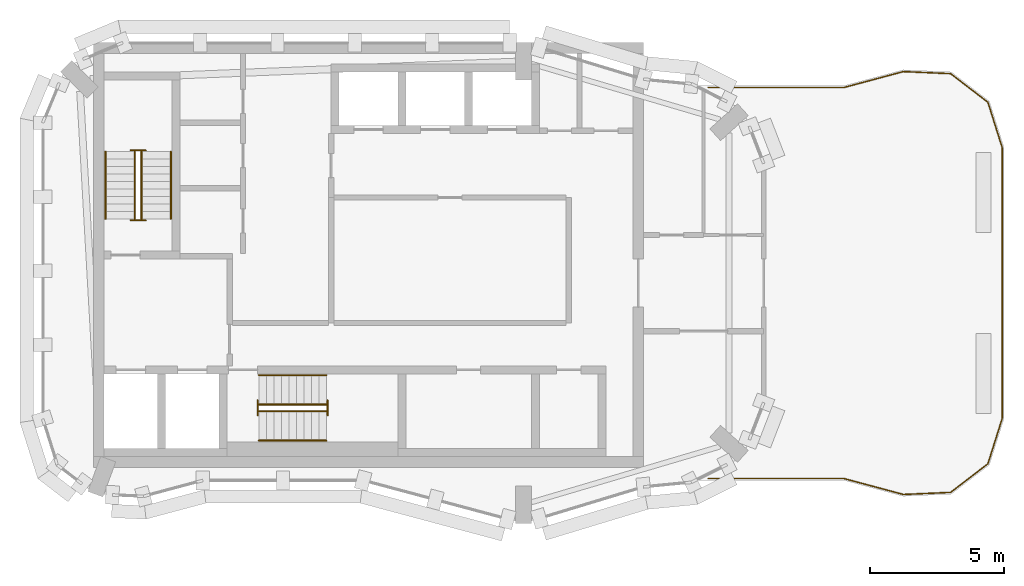
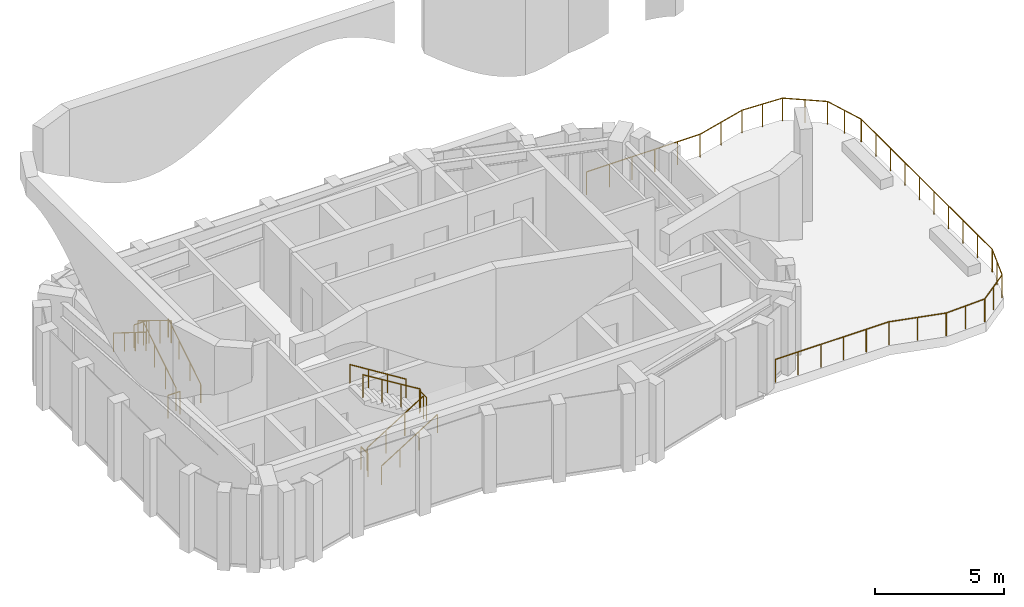
# One storey, part 5 of 7: 13 railings.
"""IFC4 building model written with IfcOpenShell, lengths in metres."""

from ifc_helpers import new_model, si_unit, direction, frame, origin, origin_2d, place, context, subcontext, project, spatial, circle, extrude, material, type_object, element, save


model = new_model("IFC4")

# Units and contexts
model_context = context("Model", 3, precision=1e-05, world=origin(), true_north=direction((0.0, 1.0)))
body_context = subcontext(model_context, "Body", "Model", "MODEL_VIEW")
ifc_project = project(units=[si_unit("LENGTHUNIT", "METRE"), si_unit("AREAUNIT", "SQUARE_METRE"), si_unit("VOLUMEUNIT", "CUBIC_METRE"), si_unit("PLANEANGLEUNIT", "RADIAN"), si_unit("MASSUNIT", "GRAM", prefix="KILO")], contexts=[model_context])

# Site, building, storey
site_placement = place(None, origin())
site = spatial("IfcSite", under=ifc_project, at=site_placement, CompositionType="ELEMENT")
building_placement = place(site_placement, origin())
building = spatial("IfcBuilding", under=site, at=building_placement, Name="Plateau Cross Towers", CompositionType="ELEMENT")
storey_placement = place(building_placement, frame((0.0, 0.0, 301.89990234375)))
storey = spatial("IfcBuildingStorey", under=building, at=storey_placement, Name="L80 Crown 3", CompositionType="ELEMENT", Elevation=301.89990234375)

# Railings
ifc_material_1 = material(Name="Stainless steel and toughened glass", Category="steel")
railing_type_1 = type_object("IfcRailingType", Name="Glass balustrade guard 1100", PredefinedType="GUARDRAIL", material=ifc_material_1)
railing_1_placement = place(storey_placement, frame((24.924560546875, 16.322998046875, 0.0)))
element("IfcRailing", 1, at=railing_1_placement, inside=storey, type_object=railing_type_1, Name="Guard guard1", PredefinedType="GUARDRAIL", context=body_context, shape_type="SweptSolid", body=[
    extrude(circle(Radius=0.02392578125, at=origin_2d()), frame((0.0, 0.0, 1.076171875), z_axis=(1.0, 0.0, 0.0), x_axis=(0.0, 1.0, 0.0)), (0.0, 0.0, 1.0), 5.084716796875),
    extrude(circle(Radius=0.02392578125, at=origin_2d()), frame((5.084716796875, 0.0, 1.076171875), z_axis=(0.965956101937, 0.2587060284, 0.0), x_axis=(-0.2587060284, 0.965956101937, 0.0)), (0.0, 0.0, 1.0), 2.30078125),
    extrude(circle(Radius=0.02392578125, at=origin_2d()), frame((7.30712890625, 0.59521484375, 1.076171875), z_axis=(0.999044942217, -0.043694432489, 0.0), x_axis=(0.043694432489, 0.999044942217, 0.0)), (0.0, 0.0, 1.0), 1.771240234375),
    extrude(circle(Radius=0.02392578125, at=origin_2d()), frame((9.07666015625, 0.517822265625, 1.076171875), z_axis=(0.79330932609, -0.608818785139, 0.0), x_axis=(0.608818785139, 0.79330932609, 0.0)), (0.0, 0.0, 1.0), 1.760009765625),
    extrude(circle(Radius=0.02392578125, at=origin_2d()), frame((10.472900390625, -0.5537109375, 1.076171875), z_axis=(0.3006365493, -0.95373878249, 0.0), x_axis=(0.95373878249, 0.3006365493, 0.0)), (0.0, 0.0, 1.0), 1.771240234375),
    extrude(circle(Radius=0.02392578125, at=origin_2d()), frame((11.00537109375, -2.242919921875, 1.076171875), z_axis=(0.0, -1.0, 0.0), x_axis=(1.0, 0.0, 0.0)), (0.0, 0.0, 1.0), 10.16015625),
    extrude(circle(Radius=0.02392578125, at=origin_2d()), frame((11.00537109375, -12.403076171875, 1.076171875), z_axis=(-0.3006365493, -0.95373878249, 0.0), x_axis=(0.95373878249, -0.3006365493, 0.0)), (0.0, 0.0, 1.0), 1.771240234375),
    extrude(circle(Radius=0.02392578125, at=origin_2d()), frame((10.472900390625, -14.09228515625, 1.076171875), z_axis=(-0.79330932609, -0.608818785139, 0.0), x_axis=(0.608818785139, -0.79330932609, 0.0)), (0.0, 0.0, 1.0), 1.760009765625),
    extrude(circle(Radius=0.02392578125, at=origin_2d()), frame((9.07666015625, -15.163818359375, 1.076171875), z_axis=(-0.999044942217, -0.043694432489, 0.0), x_axis=(0.043694432489, -0.999044942217, 0.0)), (0.0, 0.0, 1.0), 1.771240234375),
    extrude(circle(Radius=0.02392578125, at=origin_2d()), frame((7.30712890625, -15.2412109375, 1.076171875), z_axis=(-0.965956101937, 0.2587060284, 0.0), x_axis=(-0.2587060284, -0.965956101937, 0.0)), (0.0, 0.0, 1.0), 2.30078125),
    extrude(circle(Radius=0.02392578125, at=origin_2d()), frame((5.084716796875, -14.64599609375, 1.076171875), z_axis=(-1.0, 0.0, 0.0), x_axis=(0.0, -1.0, 0.0)), (0.0, 0.0, 1.0), 5.084716796875),
    extrude(circle(Radius=0.02099609375, at=origin_2d()), origin(), (0.0, 0.0, 1.0), 1.052001953125),
    extrude(circle(Radius=0.02099609375, at=origin_2d()), frame((1.016845703125, 0.0, 0.0)), (0.0, 0.0, 1.0), 1.052001953125),
    extrude(circle(Radius=0.02099609375, at=origin_2d()), frame((2.033935546875, 0.0, 0.0)), (0.0, 0.0, 1.0), 1.052001953125),
    extrude(circle(Radius=0.02099609375, at=origin_2d()), frame((3.05078125, 0.0, 0.0)), (0.0, 0.0, 1.0), 1.052001953125),
    extrude(circle(Radius=0.02099609375, at=origin_2d()), frame((4.06787109375, 0.0, 0.0)), (0.0, 0.0, 1.0), 1.052001953125),
    extrude(circle(Radius=0.02099609375, at=origin_2d()), frame((5.084716796875, 0.0, 0.0)), (0.0, 0.0, 1.0), 1.052001953125),
    extrude(circle(Radius=0.02099609375, at=origin_2d()), frame((6.19580078125, 0.297607421875, 0.0)), (0.0, 0.0, 1.0), 1.052001953125),
    extrude(circle(Radius=0.02099609375, at=origin_2d()), frame((7.30712890625, 0.59521484375, 0.0)), (0.0, 0.0, 1.0), 1.052001953125),
    extrude(circle(Radius=0.02099609375, at=origin_2d()), frame((8.19189453125, 0.556640625, 0.0)), (0.0, 0.0, 1.0), 1.052001953125),
    extrude(circle(Radius=0.02099609375, at=origin_2d()), frame((9.07666015625, 0.517822265625, 0.0)), (0.0, 0.0, 1.0), 1.052001953125),
    extrude(circle(Radius=0.02099609375, at=origin_2d()), frame((9.77490234375, -0.01806640625, 0.0)), (0.0, 0.0, 1.0), 1.052001953125),
    extrude(circle(Radius=0.02099609375, at=origin_2d()), frame((10.472900390625, -0.5537109375, 0.0)), (0.0, 0.0, 1.0), 1.052001953125),
    extrude(circle(Radius=0.02099609375, at=origin_2d()), frame((10.7392578125, -1.3984375, 0.0)), (0.0, 0.0, 1.0), 1.052001953125),
    extrude(circle(Radius=0.02099609375, at=origin_2d()), frame((11.00537109375, -2.242919921875, 0.0)), (0.0, 0.0, 1.0), 1.052001953125),
    extrude(circle(Radius=0.02099609375, at=origin_2d()), frame((11.00537109375, -3.371826171875, 0.0)), (0.0, 0.0, 1.0), 1.052001953125),
    extrude(circle(Radius=0.02099609375, at=origin_2d()), frame((11.00537109375, -4.500732421875, 0.0)), (0.0, 0.0, 1.0), 1.052001953125),
    extrude(circle(Radius=0.02099609375, at=origin_2d()), frame((11.00537109375, -5.629638671875, 0.0)), (0.0, 0.0, 1.0), 1.052001953125),
    extrude(circle(Radius=0.02099609375, at=origin_2d()), frame((11.00537109375, -6.758544921875, 0.0)), (0.0, 0.0, 1.0), 1.052001953125),
    extrude(circle(Radius=0.02099609375, at=origin_2d()), frame((11.00537109375, -7.887451171875, 0.0)), (0.0, 0.0, 1.0), 1.052001953125),
    extrude(circle(Radius=0.02099609375, at=origin_2d()), frame((11.00537109375, -9.016357421875, 0.0)), (0.0, 0.0, 1.0), 1.052001953125),
    extrude(circle(Radius=0.02099609375, at=origin_2d()), frame((11.00537109375, -10.145263671875, 0.0)), (0.0, 0.0, 1.0), 1.052001953125),
    extrude(circle(Radius=0.02099609375, at=origin_2d()), frame((11.00537109375, -11.274169921875, 0.0)), (0.0, 0.0, 1.0), 1.052001953125),
    extrude(circle(Radius=0.02099609375, at=origin_2d()), frame((11.00537109375, -12.403076171875, 0.0)), (0.0, 0.0, 1.0), 1.052001953125),
    extrude(circle(Radius=0.02099609375, at=origin_2d()), frame((10.7392578125, -13.24755859375, 0.0)), (0.0, 0.0, 1.0), 1.052001953125),
    extrude(circle(Radius=0.02099609375, at=origin_2d()), frame((10.472900390625, -14.09228515625, 0.0)), (0.0, 0.0, 1.0), 1.052001953125),
    extrude(circle(Radius=0.02099609375, at=origin_2d()), frame((9.77490234375, -14.6279296875, 0.0)), (0.0, 0.0, 1.0), 1.052001953125),
    extrude(circle(Radius=0.02099609375, at=origin_2d()), frame((9.07666015625, -15.163818359375, 0.0)), (0.0, 0.0, 1.0), 1.052001953125),
    extrude(circle(Radius=0.02099609375, at=origin_2d()), frame((8.19189453125, -15.20263671875, 0.0)), (0.0, 0.0, 1.0), 1.052001953125),
    extrude(circle(Radius=0.02099609375, at=origin_2d()), frame((7.30712890625, -15.2412109375, 0.0)), (0.0, 0.0, 1.0), 1.052001953125),
    extrude(circle(Radius=0.02099609375, at=origin_2d()), frame((6.19580078125, -14.943603515625, 0.0)), (0.0, 0.0, 1.0), 1.052001953125),
    extrude(circle(Radius=0.02099609375, at=origin_2d()), frame((5.084716796875, -14.64599609375, 0.0)), (0.0, 0.0, 1.0), 1.052001953125),
    extrude(circle(Radius=0.02099609375, at=origin_2d()), frame((4.06787109375, -14.64599609375, 0.0)), (0.0, 0.0, 1.0), 1.052001953125),
    extrude(circle(Radius=0.02099609375, at=origin_2d()), frame((3.05078125, -14.64599609375, 0.0)), (0.0, 0.0, 1.0), 1.052001953125),
    extrude(circle(Radius=0.02099609375, at=origin_2d()), frame((2.033935546875, -14.64599609375, 0.0)), (0.0, 0.0, 1.0), 1.052001953125),
    extrude(circle(Radius=0.02099609375, at=origin_2d()), frame((1.016845703125, -14.64599609375, 0.0)), (0.0, 0.0, 1.0), 1.052001953125),
    extrude(circle(Radius=0.02099609375, at=origin_2d()), frame((0.0, -14.64599609375, 0.0)), (0.0, 0.0, 1.0), 1.052001953125),
])
railing_type_2 = type_object("IfcRailingType", Name="RL-GUARD-1100", PredefinedType="GUARDRAIL", material=ifc_material_1)
railing_2_placement = place(storey_placement, frame((3.699951171875, 11.39990234375, 0.175048828125)))
element("IfcRailing", 2, at=railing_2_placement, inside=storey, type_object=railing_type_2, Name="L80 Crown 3 ST-1 stair guard 1", PredefinedType="GUARDRAIL", context=body_context, shape_type="SweptSolid", body=[
    extrude(circle(Radius=0.02392578125, at=origin_2d()), frame((0.0, 0.0, 1.076171875), z_axis=(0.0, 0.848007534815, 0.529984170421), x_axis=(-1.0, 0.0, 0.0)), (0.0, 0.0, 1.0), 2.9716796875),
    extrude(circle(Radius=0.02099609375, at=origin_2d()), origin(), (0.0, 0.0, 1.0), 1.052001953125),
    extrude(circle(Radius=0.02099609375, at=origin_2d()), frame((0.0, 0.840087890625, 0.52490234375)), (0.0, 0.0, 1.0), 1.052001953125),
    extrude(circle(Radius=0.02099609375, at=origin_2d()), frame((0.0, 1.679931640625, 1.050048828125)), (0.0, 0.0, 1.0), 1.052001953125),
    extrude(circle(Radius=0.02099609375, at=origin_2d()), frame((0.0, 2.52001953125, 1.574951171875)), (0.0, 0.0, 1.0), 1.052001953125),
])
railing_3_placement = place(storey_placement, frame((3.85009765625, 13.969970703125, 1.75)))
element("IfcRailing", 3, at=railing_3_placement, inside=storey, type_object=railing_type_2, Name="L80 Crown 3 ST-1 stair guard 2", PredefinedType="GUARDRAIL", context=body_context, shape_type="SweptSolid", body=[
    extrude(circle(Radius=0.02392578125, at=origin_2d()), frame((0.0, 0.0, 1.076171875), z_axis=(-1.0, 0.0, 0.0), x_axis=(0.0, -1.0, 0.0)), (0.0, 0.0, 1.0), 0.550048828125),
    extrude(circle(Radius=0.02099609375, at=origin_2d()), origin(), (0.0, 0.0, 1.0), 1.052001953125),
    extrude(circle(Radius=0.02099609375, at=origin_2d()), frame((-0.550048828125, 0.0, 0.0)), (0.0, 0.0, 1.0), 1.052001953125),
])
railing_4_placement = place(storey_placement, frame((3.449951171875, 13.919921875, 1.925048828125)))
element("IfcRailing", 4, at=railing_4_placement, inside=storey, type_object=railing_type_2, Name="L80 Crown 3 ST-1 stair guard 3", PredefinedType="GUARDRAIL", context=body_context, shape_type="SweptSolid", body=[
    extrude(circle(Radius=0.02392578125, at=origin_2d()), frame((0.0, 0.0, 1.076171875), z_axis=(0.0, -0.852616386126, 0.522537365276), x_axis=(1.0, 0.0, 0.0)), (0.0, 0.0, 1.0), 3.01416015625),
    extrude(circle(Radius=0.02099609375, at=origin_2d()), origin(), (0.0, 0.0, 1.0), 1.052001953125),
    extrude(circle(Radius=0.02099609375, at=origin_2d()), frame((0.0, -0.856689453125, 0.52490234375)), (0.0, 0.0, 1.0), 1.052001953125),
    extrude(circle(Radius=0.02099609375, at=origin_2d()), frame((0.0, -1.713134765625, 1.050048828125)), (0.0, 0.0, 1.0), 1.052001953125),
    extrude(circle(Radius=0.02099609375, at=origin_2d()), frame((0.0, -2.56982421875, 1.574951171875)), (0.0, 0.0, 1.0), 1.052001953125),
])
railing_5_placement = place(storey_placement, frame((3.85009765625, 11.35009765625, 0.0)))
element("IfcRailing", 5, at=railing_5_placement, inside=storey, type_object=railing_type_2, Name="L80 Crown 3 ST-1 stair guard 4", PredefinedType="GUARDRAIL", context=body_context, shape_type="SweptSolid", body=[
    extrude(circle(Radius=0.02392578125, at=origin_2d()), frame((0.0, 0.0, 1.076171875), z_axis=(-1.0, 0.0, 0.0), x_axis=(0.0, -1.0, 0.0)), (0.0, 0.0, 1.0), 0.550048828125),
    extrude(circle(Radius=0.02099609375, at=origin_2d()), origin(), (0.0, 0.0, 1.0), 1.052001953125),
    extrude(circle(Radius=0.02099609375, at=origin_2d()), frame((-0.550048828125, 0.0, 0.0)), (0.0, 0.0, 1.0), 1.052001953125),
])
railing_6_placement = place(storey_placement, frame((8.10009765625, 4.199951171875, 0.175048828125)))
element("IfcRailing", 6, at=railing_6_placement, inside=storey, type_object=railing_type_2, Name="L80 Crown 3 ST-2 stair guard 1", PredefinedType="GUARDRAIL", context=body_context, shape_type="SweptSolid", body=[
    extrude(circle(Radius=0.02392578125, at=origin_2d()), frame((0.0, 0.0, 1.076171875), z_axis=(0.848007534815, 0.0, 0.529984170421), x_axis=(0.0, 1.0, 0.0)), (0.0, 0.0, 1.0), 2.9716796875),
    extrude(circle(Radius=0.02099609375, at=origin_2d()), origin(), (0.0, 0.0, 1.0), 1.052001953125),
    extrude(circle(Radius=0.02099609375, at=origin_2d()), frame((0.840087890625, 0.0, 0.52490234375)), (0.0, 0.0, 1.0), 1.052001953125),
    extrude(circle(Radius=0.02099609375, at=origin_2d()), frame((1.679931640625, 0.0, 1.050048828125)), (0.0, 0.0, 1.0), 1.052001953125),
    extrude(circle(Radius=0.02099609375, at=origin_2d()), frame((2.52001953125, 0.0, 1.574951171875)), (0.0, 0.0, 1.0), 1.052001953125),
])
railing_7_placement = place(storey_placement, frame((10.669921875, 4.050048828125, 1.75)))
element("IfcRailing", 7, at=railing_7_placement, inside=storey, type_object=railing_type_2, Name="L80 Crown 3 ST-2 stair guard 2", PredefinedType="GUARDRAIL", context=body_context, shape_type="SweptSolid", body=[
    extrude(circle(Radius=0.02392578125, at=origin_2d()), frame((0.0, 0.0, 1.076171875), z_axis=(0.0, 1.0, 0.0), x_axis=(-1.0, 0.0, 0.0)), (0.0, 0.0, 1.0), 0.550048828125),
    extrude(circle(Radius=0.02099609375, at=origin_2d()), origin(), (0.0, 0.0, 1.0), 1.052001953125),
    extrude(circle(Radius=0.02099609375, at=origin_2d()), frame((0.0, 0.550048828125, 0.0)), (0.0, 0.0, 1.0), 1.052001953125),
])
railing_8_placement = place(storey_placement, frame((10.6201171875, 4.449951171875, 1.925048828125)))
element("IfcRailing", 8, at=railing_8_placement, inside=storey, type_object=railing_type_2, Name="L80 Crown 3 ST-2 stair guard 3", PredefinedType="GUARDRAIL", context=body_context, shape_type="SweptSolid", body=[
    extrude(circle(Radius=0.02392578125, at=origin_2d()), frame((0.0, 0.0, 1.076171875), z_axis=(-0.852638500773, 0.0, 0.522501279423), x_axis=(0.0, -1.0, 0.0)), (0.0, 0.0, 1.0), 3.01416015625),
    extrude(circle(Radius=0.02099609375, at=origin_2d()), origin(), (0.0, 0.0, 1.0), 1.052001953125),
    extrude(circle(Radius=0.02099609375, at=origin_2d()), frame((-0.856689453125, 0.0, 0.52490234375)), (0.0, 0.0, 1.0), 1.052001953125),
    extrude(circle(Radius=0.02099609375, at=origin_2d()), frame((-1.71337890625, 0.0, 1.050048828125)), (0.0, 0.0, 1.0), 1.052001953125),
    extrude(circle(Radius=0.02099609375, at=origin_2d()), frame((-2.570068359375, 0.0, 1.574951171875)), (0.0, 0.0, 1.0), 1.052001953125),
])
railing_9_placement = place(storey_placement, frame((8.050048828125, 4.050048828125, 0.0)))
element("IfcRailing", 9, at=railing_9_placement, inside=storey, type_object=railing_type_2, Name="L80 Crown 3 ST-2 stair guard 4", PredefinedType="GUARDRAIL", context=body_context, shape_type="SweptSolid", body=[
    extrude(circle(Radius=0.02392578125, at=origin_2d()), frame((0.0, 0.0, 1.076171875), z_axis=(0.0, 1.0, 0.0), x_axis=(-1.0, 0.0, 0.0)), (0.0, 0.0, 1.0), 0.550048828125),
    extrude(circle(Radius=0.02099609375, at=origin_2d()), origin(), (0.0, 0.0, 1.0), 1.052001953125),
    extrude(circle(Radius=0.02099609375, at=origin_2d()), frame((0.0, 0.550048828125, 0.0)), (0.0, 0.0, 1.0), 1.052001953125),
])
ifc_material_2 = material(Name="Black anodised aluminium", Category="aluminium")
railing_type_3 = type_object("IfcRailingType", Name="RL-HANDRAIL-900", PredefinedType="HANDRAIL", material=ifc_material_2)
railing_10_placement = place(storey_placement, frame((4.800048828125, 11.39990234375, 0.175048828125)))
element("IfcRailing", 10, at=railing_10_placement, inside=storey, type_object=railing_type_3, Name="L80 Crown 3 ST-1 stair handrail 1", PredefinedType="HANDRAIL", context=body_context, shape_type="SweptSolid", body=[
    extrude(circle(Radius=0.02392578125, at=origin_2d()), frame((0.0, 0.0, 0.8759765625), z_axis=(0.0, 0.848007534815, 0.529984170421), x_axis=(-1.0, 0.0, 0.0)), (0.0, 0.0, 1.0), 2.9716796875),
    extrude(circle(Radius=0.02099609375, at=origin_2d()), origin(), (0.0, 0.0, 1.0), 0.851806640625),
    extrude(circle(Radius=0.02099609375, at=origin_2d()), frame((0.0, 0.840087890625, 0.52490234375)), (0.0, 0.0, 1.0), 0.851806640625),
    extrude(circle(Radius=0.02099609375, at=origin_2d()), frame((0.0, 1.679931640625, 1.050048828125)), (0.0, 0.0, 1.0), 0.851806640625),
    extrude(circle(Radius=0.02099609375, at=origin_2d()), frame((0.0, 2.52001953125, 1.574951171875)), (0.0, 0.0, 1.0), 0.851806640625),
])
railing_11_placement = place(storey_placement, frame((2.35009765625, 13.919921875, 1.925048828125)))
element("IfcRailing", 11, at=railing_11_placement, inside=storey, type_object=railing_type_3, Name="L80 Crown 3 ST-1 stair handrail 2", PredefinedType="HANDRAIL", context=body_context, shape_type="SweptSolid", body=[
    extrude(circle(Radius=0.02392578125, at=origin_2d()), frame((0.0, 0.0, 0.8759765625), z_axis=(0.0, -0.848007534815, 0.529984170421), x_axis=(1.0, 0.0, 0.0)), (0.0, 0.0, 1.0), 2.9716796875),
    extrude(circle(Radius=0.02099609375, at=origin_2d()), origin(), (0.0, 0.0, 1.0), 0.851806640625),
    extrude(circle(Radius=0.02099609375, at=origin_2d()), frame((0.0, -0.840087890625, 0.52490234375)), (0.0, 0.0, 1.0), 0.851806640625),
    extrude(circle(Radius=0.02099609375, at=origin_2d()), frame((0.0, -1.679931640625, 1.050048828125)), (0.0, 0.0, 1.0), 0.851806640625),
    extrude(circle(Radius=0.02099609375, at=origin_2d()), frame((0.0, -2.52001953125, 1.574951171875)), (0.0, 0.0, 1.0), 0.851806640625),
])
railing_12_placement = place(storey_placement, frame((8.10009765625, 3.10009765625, 0.175048828125)))
element("IfcRailing", 12, at=railing_12_placement, inside=storey, type_object=railing_type_3, Name="L80 Crown 3 ST-2 stair handrail 1", PredefinedType="HANDRAIL", context=body_context, shape_type="SweptSolid", body=[
    extrude(circle(Radius=0.02392578125, at=origin_2d()), frame((0.0, 0.0, 0.8759765625), z_axis=(0.848007534815, 0.0, 0.529984170421), x_axis=(0.0, 1.0, 0.0)), (0.0, 0.0, 1.0), 2.9716796875),
    extrude(circle(Radius=0.02099609375, at=origin_2d()), origin(), (0.0, 0.0, 1.0), 0.851806640625),
    extrude(circle(Radius=0.02099609375, at=origin_2d()), frame((0.840087890625, 0.0, 0.52490234375)), (0.0, 0.0, 1.0), 0.851806640625),
    extrude(circle(Radius=0.02099609375, at=origin_2d()), frame((1.679931640625, 0.0, 1.050048828125)), (0.0, 0.0, 1.0), 0.851806640625),
    extrude(circle(Radius=0.02099609375, at=origin_2d()), frame((2.52001953125, 0.0, 1.574951171875)), (0.0, 0.0, 1.0), 0.851806640625),
])
railing_13_placement = place(storey_placement, frame((10.6201171875, 5.550048828125, 1.925048828125)))
element("IfcRailing", 13, at=railing_13_placement, inside=storey, type_object=railing_type_3, Name="L80 Crown 3 ST-2 stair handrail 2", PredefinedType="HANDRAIL", context=body_context, shape_type="SweptSolid", body=[
    extrude(circle(Radius=0.02392578125, at=origin_2d()), frame((0.0, 0.0, 0.8759765625), z_axis=(-0.848007534815, 0.0, 0.529984170421), x_axis=(0.0, -1.0, 0.0)), (0.0, 0.0, 1.0), 2.9716796875),
    extrude(circle(Radius=0.02099609375, at=origin_2d()), origin(), (0.0, 0.0, 1.0), 0.851806640625),
    extrude(circle(Radius=0.02099609375, at=origin_2d()), frame((-0.840087890625, 0.0, 0.52490234375)), (0.0, 0.0, 1.0), 0.851806640625),
    extrude(circle(Radius=0.02099609375, at=origin_2d()), frame((-1.679931640625, 0.0, 1.050048828125)), (0.0, 0.0, 1.0), 0.851806640625),
    extrude(circle(Radius=0.02099609375, at=origin_2d()), frame((-2.52001953125, 0.0, 1.574951171875)), (0.0, 0.0, 1.0), 0.851806640625),
])

save(model, "model.ifc")
